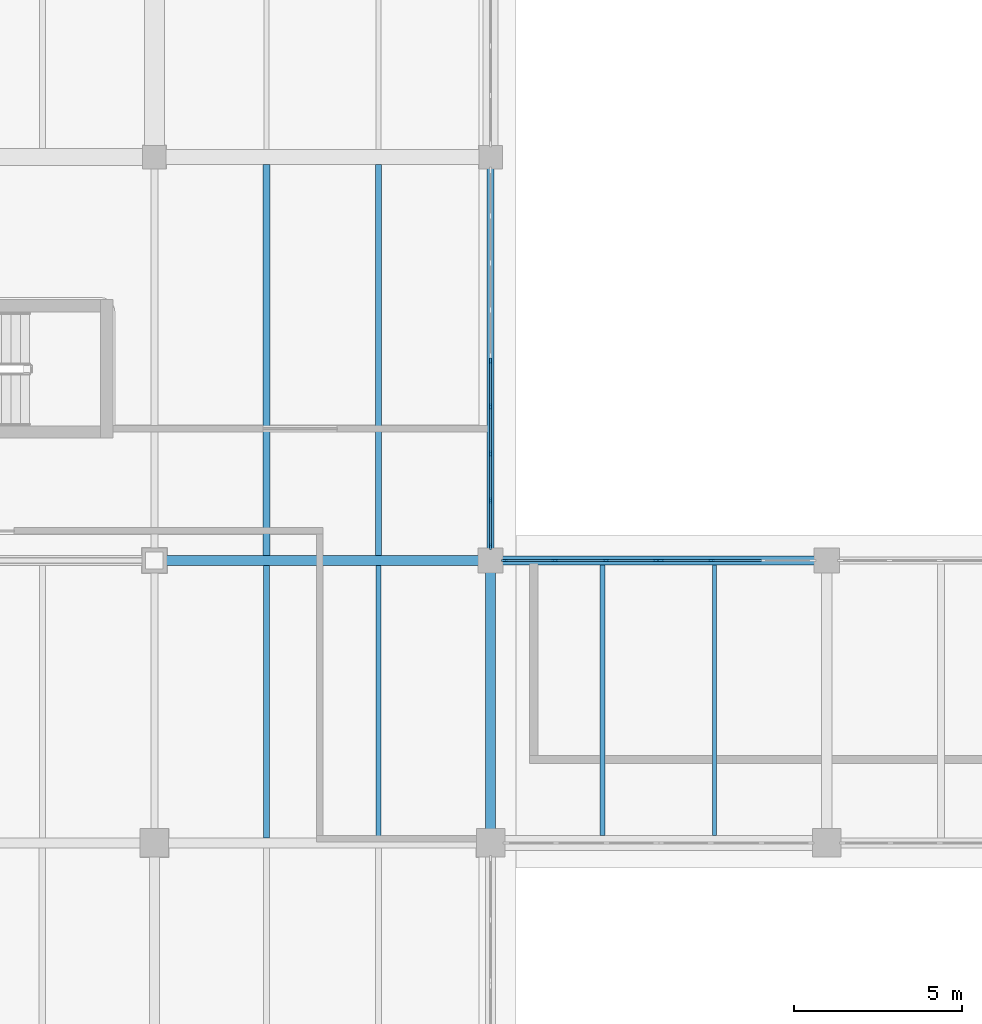
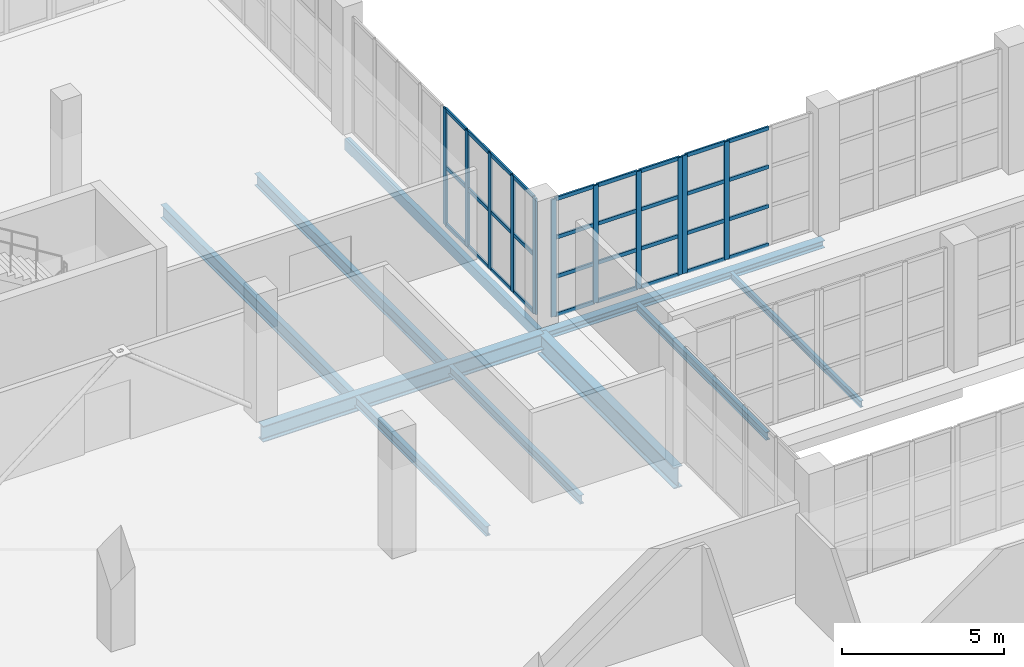
# One storey, part 51 of 121: 43 members, 10 beams, 3 elements without a shape of their own.
"""IFC4 building model written with IfcOpenShell, lengths in metres."""

from ifc_helpers import new_model, si_unit, direction, frame, origin, origin_2d, place, context, subcontext, project, spatial, rectangle, hollow_rectangle, i_section, extrude, material, layer, layer_set, material_profile, profile_set, type_object, element, aggregate, save


model = new_model("IFC4")

# Units and contexts
model_context = context("Model", 3, precision=1e-05, world=origin(), true_north=direction((0.0, 1.0)))
body_context = subcontext(model_context, "Body", "Model", "MODEL_VIEW")
ifc_project = project(units=[si_unit("LENGTHUNIT", "METRE"), si_unit("AREAUNIT", "SQUARE_METRE"), si_unit("VOLUMEUNIT", "CUBIC_METRE"), si_unit("PLANEANGLEUNIT", "RADIAN"), si_unit("MASSUNIT", "GRAM", prefix="KILO")], contexts=[model_context])

# Site, building, storey
site_placement = place(None, origin())
site = spatial("IfcSite", under=ifc_project, at=site_placement, CompositionType="ELEMENT")
building_placement = place(site_placement, origin())
building = spatial("IfcBuilding", under=site, at=building_placement, Name="Zereglee Splitstone Museum", CompositionType="ELEMENT")
storey_placement = place(building_placement, origin())
storey = spatial("IfcBuildingStorey", under=building, at=storey_placement, Name="L00", CompositionType="ELEMENT", Elevation=0.0)

# Curtain wall, members
ifc_material_1 = material(Name="Triple-glazed low-E argon glass and bronze-anodised aluminium", Category="aluminium")
ifc_layer_1 = layer(ifc_material_1, 0.179931640625)
ifc_layer_set_1 = layer_set([ifc_layer_1], Name="Triple-glazed low-E argon glass and bronze-anodised aluminium")
curtain_wall_type_1 = type_object("IfcCurtainWallType", Name="CW-0458-444", PredefinedType="USERDEFINED", material=ifc_layer_set_1)
curtain_wall_1_placement = place(storey_placement, origin())
curtain_wall_1 = element("IfcCurtainWall", 1, at=curtain_wall_1_placement, inside=storey, type_object=curtain_wall_type_1, Name="Glazed Curtain Wall CW-0458-444 (L00)", ObjectType="GLAZED CURTAIN WALL", PredefinedType="USERDEFINED")
ifc_material_2 = material(Name="Thermally broken bronze-anodised aluminium", Category="aluminium")
ifc_material_profile_1 = material_profile(ifc_material_2, rectangle(XDim=0.06494140625, YDim=0.179931640625, at=origin_2d()), Name="CW MULL 65x180")
ifc_profile_set_1 = profile_set([ifc_material_profile_1], Name="Thermally broken bronze-anodised aluminium")
member_type_1 = type_object("IfcMemberType", Name="CWM-01", PredefinedType="MULLION", material=ifc_profile_set_1)
member_1_placement = place(storey_placement, frame((211.765625, 38.39990234375, 0.0), z_axis=(0.0, 0.0, 1.0), x_axis=(0.0, -1.0, 0.0)))
member_1 = element("IfcMember", 2, at=member_1_placement, type_object=member_type_1, Name="CW-0458-444 mullion 3", PredefinedType="MULLION", context=body_context, shape_type="SweptSolid", body=[
    extrude(rectangle(XDim=0.06494140625, YDim=0.179931640625, at=origin_2d()), origin(), (0.0, 0.0, 1.0), 4.43994140625),
])
member_2_placement = place(storey_placement, frame((210.2724609375, 38.39990234375, 0.0), z_axis=(0.0, 0.0, 1.0), x_axis=(0.0, -1.0, 0.0)))
member_2 = element("IfcMember", 3, at=member_2_placement, type_object=member_type_1, Name="CW-0458-444 mullion 4", PredefinedType="MULLION", context=body_context, shape_type="SweptSolid", body=[
    extrude(rectangle(XDim=0.06494140625, YDim=0.179931640625, at=origin_2d()), origin(), (0.0, 0.0, 1.0), 4.43994140625),
])

ifc_layer_2 = layer(ifc_material_1, 0.179931640625)
ifc_layer_set_2 = layer_set([ifc_layer_2], Name="Triple-glazed low-E argon glass and bronze-anodised aluminium")
curtain_wall_type_2 = type_object("IfcCurtainWallType", Name="CW-0458-442", PredefinedType="USERDEFINED", material=ifc_layer_set_2)
curtain_wall_2_placement = place(storey_placement, origin())
curtain_wall_2 = element("IfcCurtainWall", 4, at=curtain_wall_2_placement, inside=storey, type_object=curtain_wall_type_2, Name="Glazed Curtain Wall CW-0458-442 (L00)", ObjectType="GLAZED CURTAIN WALL", PredefinedType="USERDEFINED")
member_3_placement = place(storey_placement, frame((210.12744140625, 38.39990234375, 0.0), z_axis=(0.0, 0.0, 1.0), x_axis=(0.0, -1.0, 0.0)))
member_3 = element("IfcMember", 5, at=member_3_placement, type_object=member_type_1, Name="CW-0458-442 mullion 1", PredefinedType="MULLION", context=body_context, shape_type="SweptSolid", body=[
    extrude(rectangle(XDim=0.06494140625, YDim=0.179931640625, at=origin_2d()), origin(), (0.0, 0.0, 1.0), 4.419921875),
])
member_4_placement = place(storey_placement, frame((208.63427734375, 38.39990234375, 0.0), z_axis=(0.0, 0.0, 1.0), x_axis=(0.0, -1.0, 0.0)))
member_4 = element("IfcMember", 6, at=member_4_placement, type_object=member_type_1, Name="CW-0458-442 mullion 2", PredefinedType="MULLION", context=body_context, shape_type="SweptSolid", body=[
    extrude(rectangle(XDim=0.06494140625, YDim=0.179931640625, at=origin_2d()), origin(), (0.0, 0.0, 1.0), 4.419921875),
])
member_5_placement = place(storey_placement, frame((207.108642578125, 38.39990234375, 0.0), z_axis=(0.0, 0.0, 1.0), x_axis=(0.0, -1.0, 0.0)))
member_5 = element("IfcMember", 7, at=member_5_placement, type_object=member_type_1, Name="CW-0458-442 mullion 3", PredefinedType="MULLION", context=body_context, shape_type="SweptSolid", body=[
    extrude(rectangle(XDim=0.06494140625, YDim=0.179931640625, at=origin_2d()), origin(), (0.0, 0.0, 1.0), 4.419921875),
])
member_6_placement = place(storey_placement, frame((205.615478515625, 38.39990234375, 0.0), z_axis=(0.0, 0.0, 1.0), x_axis=(0.0, -1.0, 0.0)))
member_6 = element("IfcMember", 8, at=member_6_placement, type_object=member_type_1, Name="CW-0458-442 mullion 4", PredefinedType="MULLION", context=body_context, shape_type="SweptSolid", body=[
    extrude(rectangle(XDim=0.06494140625, YDim=0.179931640625, at=origin_2d()), origin(), (0.0, 0.0, 1.0), 4.419921875),
])

ifc_layer_3 = layer(ifc_material_1, 0.179931640625)
ifc_layer_set_3 = layer_set([ifc_layer_3], Name="Triple-glazed low-E argon glass and bronze-anodised aluminium")
curtain_wall_type_3 = type_object("IfcCurtainWallType", Name="CW-0559-438", PredefinedType="USERDEFINED", material=ifc_layer_set_3)
curtain_wall_3_placement = place(storey_placement, origin())
curtain_wall_3 = element("IfcCurtainWall", 9, at=curtain_wall_3_placement, inside=storey, type_object=curtain_wall_type_3, Name="Glazed Curtain Wall CW-0559-438 (L00)", ObjectType="GLAZED CURTAIN WALL", PredefinedType="USERDEFINED")
member_7_placement = place(storey_placement, frame((205.199951171875, 38.8154296875, 0.0), z_axis=(0.0, 0.0, 1.0), x_axis=(-1.0, 0.0, 0.0)))
member_7 = element("IfcMember", 10, at=member_7_placement, type_object=member_type_1, Name="CW-0559-438 mullion 1", PredefinedType="MULLION", context=body_context, shape_type="SweptSolid", body=[
    extrude(rectangle(XDim=0.06494140625, YDim=0.179931640625, at=origin_2d()), origin(), (0.0, 0.0, 1.0), 4.3798828125),
])
member_8_placement = place(storey_placement, frame((205.199951171875, 40.180419921875, 0.0), z_axis=(0.0, 0.0, 1.0), x_axis=(-1.0, 0.0, 0.0)))
member_8 = element("IfcMember", 11, at=member_8_placement, type_object=member_type_1, Name="CW-0559-438 mullion 2", PredefinedType="MULLION", context=body_context, shape_type="SweptSolid", body=[
    extrude(rectangle(XDim=0.06494140625, YDim=0.179931640625, at=origin_2d()), origin(), (0.0, 0.0, 1.0), 4.3798828125),
])
member_9_placement = place(storey_placement, frame((205.199951171875, 41.57763671875, 0.0), z_axis=(0.0, 0.0, 1.0), x_axis=(-1.0, 0.0, 0.0)))
member_9 = element("IfcMember", 12, at=member_9_placement, type_object=member_type_1, Name="CW-0559-438 mullion 3", PredefinedType="MULLION", context=body_context, shape_type="SweptSolid", body=[
    extrude(rectangle(XDim=0.06494140625, YDim=0.179931640625, at=origin_2d()), origin(), (0.0, 0.0, 1.0), 4.3798828125),
])
member_10_placement = place(storey_placement, frame((205.199951171875, 42.97509765625, 0.0), z_axis=(0.0, 0.0, 1.0), x_axis=(-1.0, 0.0, 0.0)))
member_10 = element("IfcMember", 13, at=member_10_placement, type_object=member_type_1, Name="CW-0559-438 mullion 4", PredefinedType="MULLION", context=body_context, shape_type="SweptSolid", body=[
    extrude(rectangle(XDim=0.06494140625, YDim=0.179931640625, at=origin_2d()), origin(), (0.0, 0.0, 1.0), 4.3798828125),
])
member_11_placement = place(storey_placement, frame((205.199951171875, 44.340087890625, 0.0), z_axis=(0.0, 0.0, 1.0), x_axis=(-1.0, 0.0, 0.0)))
member_11 = element("IfcMember", 14, at=member_11_placement, type_object=member_type_1, Name="CW-0559-438 mullion 5", PredefinedType="MULLION", context=body_context, shape_type="SweptSolid", body=[
    extrude(rectangle(XDim=0.06494140625, YDim=0.179931640625, at=origin_2d()), origin(), (0.0, 0.0, 1.0), 4.3798828125),
])

# Member
ifc_material_profile_2 = material_profile(ifc_material_2, rectangle(XDim=0.06494140625, YDim=0.139892578125, at=origin_2d()), Name="CW TRAN 65x140")
ifc_profile_set_2 = profile_set([ifc_material_profile_2], Name="Thermally broken bronze-anodised aluminium")
member_type_2 = type_object("IfcMemberType", Name="CWT-01", PredefinedType="USERDEFINED", material=ifc_profile_set_2)
member_12_placement = place(storey_placement, frame((213.2587890625, 38.39990234375, 0.032470703125), z_axis=(-1.0, 0.0, 0.0), x_axis=(0.0, -1.0, 0.0)))
member_12 = element("IfcMember", 15, at=member_12_placement, type_object=member_type_2, Name="CW-0458-444 transom 2.1", ObjectType="TRANSOM", PredefinedType="USERDEFINED", context=body_context, shape_type="SweptSolid", body=[
    extrude(rectangle(XDim=0.06494140625, YDim=0.139892578125, at=origin_2d()), origin(), (0.0, 0.0, 1.0), 1.460693359375),
])

member_13_placement = place(storey_placement, frame((213.2587890625, 38.39990234375, 1.47998046875), z_axis=(-1.0, 0.0, 0.0), x_axis=(0.0, -1.0, 0.0)))
member_13 = element("IfcMember", 16, at=member_13_placement, type_object=member_type_2, Name="CW-0458-444 transom 2.2", ObjectType="TRANSOM", PredefinedType="USERDEFINED", context=body_context, shape_type="SweptSolid", body=[
    extrude(rectangle(XDim=0.06494140625, YDim=0.139892578125, at=origin_2d()), origin(), (0.0, 0.0, 1.0), 1.460693359375),
])

member_14_placement = place(storey_placement, frame((213.2587890625, 38.39990234375, 2.9599609375), z_axis=(-1.0, 0.0, 0.0), x_axis=(0.0, -1.0, 0.0)))
member_14 = element("IfcMember", 17, at=member_14_placement, type_object=member_type_2, Name="CW-0458-444 transom 2.3", ObjectType="TRANSOM", PredefinedType="USERDEFINED", context=body_context, shape_type="SweptSolid", body=[
    extrude(rectangle(XDim=0.06494140625, YDim=0.139892578125, at=origin_2d()), origin(), (0.0, 0.0, 1.0), 1.460693359375),
])

member_15_placement = place(storey_placement, frame((213.2587890625, 38.39990234375, 4.407470703125), z_axis=(-1.0, 0.0, 0.0), x_axis=(0.0, -1.0, 0.0)))
member_15 = element("IfcMember", 18, at=member_15_placement, type_object=member_type_2, Name="CW-0458-444 transom 2.4", ObjectType="TRANSOM", PredefinedType="USERDEFINED", context=body_context, shape_type="SweptSolid", body=[
    extrude(rectangle(XDim=0.06494140625, YDim=0.139892578125, at=origin_2d()), origin(), (0.0, 0.0, 1.0), 1.460693359375),
])

member_16_placement = place(storey_placement, frame((211.733154296875, 38.39990234375, 0.032470703125), z_axis=(-1.0, 0.0, 0.0), x_axis=(0.0, -1.0, 0.0)))
member_16 = element("IfcMember", 19, at=member_16_placement, type_object=member_type_2, Name="CW-0458-444 transom 3.1", ObjectType="TRANSOM", PredefinedType="USERDEFINED", context=body_context, shape_type="SweptSolid", body=[
    extrude(rectangle(XDim=0.06494140625, YDim=0.139892578125, at=origin_2d()), origin(), (0.0, 0.0, 1.0), 1.42822265625),
])

member_17_placement = place(storey_placement, frame((211.733154296875, 38.39990234375, 1.47998046875), z_axis=(-1.0, 0.0, 0.0), x_axis=(0.0, -1.0, 0.0)))
member_17 = element("IfcMember", 20, at=member_17_placement, type_object=member_type_2, Name="CW-0458-444 transom 3.2", ObjectType="TRANSOM", PredefinedType="USERDEFINED", context=body_context, shape_type="SweptSolid", body=[
    extrude(rectangle(XDim=0.06494140625, YDim=0.139892578125, at=origin_2d()), origin(), (0.0, 0.0, 1.0), 1.42822265625),
])

member_18_placement = place(storey_placement, frame((211.733154296875, 38.39990234375, 2.9599609375), z_axis=(-1.0, 0.0, 0.0), x_axis=(0.0, -1.0, 0.0)))
member_18 = element("IfcMember", 21, at=member_18_placement, type_object=member_type_2, Name="CW-0458-444 transom 3.3", ObjectType="TRANSOM", PredefinedType="USERDEFINED", context=body_context, shape_type="SweptSolid", body=[
    extrude(rectangle(XDim=0.06494140625, YDim=0.139892578125, at=origin_2d()), origin(), (0.0, 0.0, 1.0), 1.42822265625),
])

member_19_placement = place(storey_placement, frame((211.733154296875, 38.39990234375, 4.407470703125), z_axis=(-1.0, 0.0, 0.0), x_axis=(0.0, -1.0, 0.0)))
member_19 = element("IfcMember", 22, at=member_19_placement, type_object=member_type_2, Name="CW-0458-444 transom 3.4", ObjectType="TRANSOM", PredefinedType="USERDEFINED", context=body_context, shape_type="SweptSolid", body=[
    extrude(rectangle(XDim=0.06494140625, YDim=0.139892578125, at=origin_2d()), origin(), (0.0, 0.0, 1.0), 1.42822265625),
])

aggregate(curtain_wall_1, [member_1, member_2, member_12, member_13, member_14, member_15, member_16, member_17, member_18, member_19])

member_20_placement = place(storey_placement, frame((210.094970703125, 38.39990234375, 0.032470703125), z_axis=(-1.0, 0.0, 0.0), x_axis=(0.0, -1.0, 0.0)))
member_20 = element("IfcMember", 23, at=member_20_placement, type_object=member_type_2, Name="CW-0458-442 transom 1.1", ObjectType="TRANSOM", PredefinedType="USERDEFINED", context=body_context, shape_type="SweptSolid", body=[
    extrude(rectangle(XDim=0.06494140625, YDim=0.139892578125, at=origin_2d()), origin(), (0.0, 0.0, 1.0), 1.42822265625),
])

member_21_placement = place(storey_placement, frame((210.094970703125, 38.39990234375, 1.473388671875), z_axis=(-1.0, 0.0, 0.0), x_axis=(0.0, -1.0, 0.0)))
member_21 = element("IfcMember", 24, at=member_21_placement, type_object=member_type_2, Name="CW-0458-442 transom 1.2", ObjectType="TRANSOM", PredefinedType="USERDEFINED", context=body_context, shape_type="SweptSolid", body=[
    extrude(rectangle(XDim=0.06494140625, YDim=0.139892578125, at=origin_2d()), origin(), (0.0, 0.0, 1.0), 1.42822265625),
])

member_22_placement = place(storey_placement, frame((210.094970703125, 38.39990234375, 2.94677734375), z_axis=(-1.0, 0.0, 0.0), x_axis=(0.0, -1.0, 0.0)))
member_22 = element("IfcMember", 25, at=member_22_placement, type_object=member_type_2, Name="CW-0458-442 transom 1.3", ObjectType="TRANSOM", PredefinedType="USERDEFINED", context=body_context, shape_type="SweptSolid", body=[
    extrude(rectangle(XDim=0.06494140625, YDim=0.139892578125, at=origin_2d()), origin(), (0.0, 0.0, 1.0), 1.42822265625),
])

member_23_placement = place(storey_placement, frame((210.094970703125, 38.39990234375, 4.387451171875), z_axis=(-1.0, 0.0, 0.0), x_axis=(0.0, -1.0, 0.0)))
member_23 = element("IfcMember", 26, at=member_23_placement, type_object=member_type_2, Name="CW-0458-442 transom 1.4", ObjectType="TRANSOM", PredefinedType="USERDEFINED", context=body_context, shape_type="SweptSolid", body=[
    extrude(rectangle(XDim=0.06494140625, YDim=0.139892578125, at=origin_2d()), origin(), (0.0, 0.0, 1.0), 1.42822265625),
])

member_24_placement = place(storey_placement, frame((208.601806640625, 38.39990234375, 0.032470703125), z_axis=(-1.0, 0.0, 0.0), x_axis=(0.0, -1.0, 0.0)))
member_24 = element("IfcMember", 27, at=member_24_placement, type_object=member_type_2, Name="CW-0458-442 transom 2.1", ObjectType="TRANSOM", PredefinedType="USERDEFINED", context=body_context, shape_type="SweptSolid", body=[
    extrude(rectangle(XDim=0.06494140625, YDim=0.139892578125, at=origin_2d()), origin(), (0.0, 0.0, 1.0), 1.460693359375),
])

member_25_placement = place(storey_placement, frame((208.601806640625, 38.39990234375, 1.473388671875), z_axis=(-1.0, 0.0, 0.0), x_axis=(0.0, -1.0, 0.0)))
member_25 = element("IfcMember", 28, at=member_25_placement, type_object=member_type_2, Name="CW-0458-442 transom 2.2", ObjectType="TRANSOM", PredefinedType="USERDEFINED", context=body_context, shape_type="SweptSolid", body=[
    extrude(rectangle(XDim=0.06494140625, YDim=0.139892578125, at=origin_2d()), origin(), (0.0, 0.0, 1.0), 1.460693359375),
])

member_26_placement = place(storey_placement, frame((208.601806640625, 38.39990234375, 2.94677734375), z_axis=(-1.0, 0.0, 0.0), x_axis=(0.0, -1.0, 0.0)))
member_26 = element("IfcMember", 29, at=member_26_placement, type_object=member_type_2, Name="CW-0458-442 transom 2.3", ObjectType="TRANSOM", PredefinedType="USERDEFINED", context=body_context, shape_type="SweptSolid", body=[
    extrude(rectangle(XDim=0.06494140625, YDim=0.139892578125, at=origin_2d()), origin(), (0.0, 0.0, 1.0), 1.460693359375),
])

member_27_placement = place(storey_placement, frame((208.601806640625, 38.39990234375, 4.387451171875), z_axis=(-1.0, 0.0, 0.0), x_axis=(0.0, -1.0, 0.0)))
member_27 = element("IfcMember", 30, at=member_27_placement, type_object=member_type_2, Name="CW-0458-442 transom 2.4", ObjectType="TRANSOM", PredefinedType="USERDEFINED", context=body_context, shape_type="SweptSolid", body=[
    extrude(rectangle(XDim=0.06494140625, YDim=0.139892578125, at=origin_2d()), origin(), (0.0, 0.0, 1.0), 1.460693359375),
])

member_28_placement = place(storey_placement, frame((207.076171875, 38.39990234375, 0.032470703125), z_axis=(-1.0, 0.0, 0.0), x_axis=(0.0, -1.0, 0.0)))
member_28 = element("IfcMember", 31, at=member_28_placement, type_object=member_type_2, Name="CW-0458-442 transom 3.1", ObjectType="TRANSOM", PredefinedType="USERDEFINED", context=body_context, shape_type="SweptSolid", body=[
    extrude(rectangle(XDim=0.06494140625, YDim=0.139892578125, at=origin_2d()), origin(), (0.0, 0.0, 1.0), 1.42822265625),
])

member_29_placement = place(storey_placement, frame((207.076171875, 38.39990234375, 1.473388671875), z_axis=(-1.0, 0.0, 0.0), x_axis=(0.0, -1.0, 0.0)))
member_29 = element("IfcMember", 32, at=member_29_placement, type_object=member_type_2, Name="CW-0458-442 transom 3.2", ObjectType="TRANSOM", PredefinedType="USERDEFINED", context=body_context, shape_type="SweptSolid", body=[
    extrude(rectangle(XDim=0.06494140625, YDim=0.139892578125, at=origin_2d()), origin(), (0.0, 0.0, 1.0), 1.42822265625),
])

member_30_placement = place(storey_placement, frame((207.076171875, 38.39990234375, 2.94677734375), z_axis=(-1.0, 0.0, 0.0), x_axis=(0.0, -1.0, 0.0)))
member_30 = element("IfcMember", 33, at=member_30_placement, type_object=member_type_2, Name="CW-0458-442 transom 3.3", ObjectType="TRANSOM", PredefinedType="USERDEFINED", context=body_context, shape_type="SweptSolid", body=[
    extrude(rectangle(XDim=0.06494140625, YDim=0.139892578125, at=origin_2d()), origin(), (0.0, 0.0, 1.0), 1.42822265625),
])

member_31_placement = place(storey_placement, frame((207.076171875, 38.39990234375, 4.387451171875), z_axis=(-1.0, 0.0, 0.0), x_axis=(0.0, -1.0, 0.0)))
member_31 = element("IfcMember", 34, at=member_31_placement, type_object=member_type_2, Name="CW-0458-442 transom 3.4", ObjectType="TRANSOM", PredefinedType="USERDEFINED", context=body_context, shape_type="SweptSolid", body=[
    extrude(rectangle(XDim=0.06494140625, YDim=0.139892578125, at=origin_2d()), origin(), (0.0, 0.0, 1.0), 1.42822265625),
])

aggregate(curtain_wall_2, [member_3, member_4, member_5, member_6, member_20, member_21, member_22, member_23, member_24, member_25, member_26, member_27, member_28, member_29, member_30, member_31])

member_32_placement = place(storey_placement, frame((205.199951171875, 38.847900390625, 0.032470703125), z_axis=(0.0, 1.0, 0.0), x_axis=(-1.0, 0.0, 0.0)))
member_32 = element("IfcMember", 35, at=member_32_placement, type_object=member_type_2, Name="CW-0559-438 transom 1.1", ObjectType="TRANSOM", PredefinedType="USERDEFINED", context=body_context, shape_type="SweptSolid", body=[
    extrude(rectangle(XDim=0.06494140625, YDim=0.139892578125, at=origin_2d()), origin(), (0.0, 0.0, 1.0), 1.300048828125),
])

member_33_placement = place(storey_placement, frame((205.199951171875, 38.847900390625, 2.18994140625), z_axis=(0.0, 1.0, 0.0), x_axis=(-1.0, 0.0, 0.0)))
member_33 = element("IfcMember", 36, at=member_33_placement, type_object=member_type_2, Name="CW-0559-438 transom 1.2", ObjectType="TRANSOM", PredefinedType="USERDEFINED", context=body_context, shape_type="SweptSolid", body=[
    extrude(rectangle(XDim=0.06494140625, YDim=0.139892578125, at=origin_2d()), origin(), (0.0, 0.0, 1.0), 1.300048828125),
])

member_34_placement = place(storey_placement, frame((205.199951171875, 38.847900390625, 4.347412109375), z_axis=(0.0, 1.0, 0.0), x_axis=(-1.0, 0.0, 0.0)))
member_34 = element("IfcMember", 37, at=member_34_placement, type_object=member_type_2, Name="CW-0559-438 transom 1.3", ObjectType="TRANSOM", PredefinedType="USERDEFINED", context=body_context, shape_type="SweptSolid", body=[
    extrude(rectangle(XDim=0.06494140625, YDim=0.139892578125, at=origin_2d()), origin(), (0.0, 0.0, 1.0), 1.300048828125),
])

member_35_placement = place(storey_placement, frame((205.199951171875, 40.212890625, 0.032470703125), z_axis=(0.0, 1.0, 0.0), x_axis=(-1.0, 0.0, 0.0)))
member_35 = element("IfcMember", 38, at=member_35_placement, type_object=member_type_2, Name="CW-0559-438 transom 2.1", ObjectType="TRANSOM", PredefinedType="USERDEFINED", context=body_context, shape_type="SweptSolid", body=[
    extrude(rectangle(XDim=0.06494140625, YDim=0.139892578125, at=origin_2d()), origin(), (0.0, 0.0, 1.0), 1.332275390625),
])

member_36_placement = place(storey_placement, frame((205.199951171875, 40.212890625, 2.18994140625), z_axis=(0.0, 1.0, 0.0), x_axis=(-1.0, 0.0, 0.0)))
member_36 = element("IfcMember", 39, at=member_36_placement, type_object=member_type_2, Name="CW-0559-438 transom 2.2", ObjectType="TRANSOM", PredefinedType="USERDEFINED", context=body_context, shape_type="SweptSolid", body=[
    extrude(rectangle(XDim=0.06494140625, YDim=0.139892578125, at=origin_2d()), origin(), (0.0, 0.0, 1.0), 1.332275390625),
])

member_37_placement = place(storey_placement, frame((205.199951171875, 40.212890625, 4.347412109375), z_axis=(0.0, 1.0, 0.0), x_axis=(-1.0, 0.0, 0.0)))
member_37 = element("IfcMember", 40, at=member_37_placement, type_object=member_type_2, Name="CW-0559-438 transom 2.3", ObjectType="TRANSOM", PredefinedType="USERDEFINED", context=body_context, shape_type="SweptSolid", body=[
    extrude(rectangle(XDim=0.06494140625, YDim=0.139892578125, at=origin_2d()), origin(), (0.0, 0.0, 1.0), 1.332275390625),
])

member_38_placement = place(storey_placement, frame((205.199951171875, 41.6103515625, 0.032470703125), z_axis=(0.0, 1.0, 0.0), x_axis=(-1.0, 0.0, 0.0)))
member_38 = element("IfcMember", 41, at=member_38_placement, type_object=member_type_2, Name="CW-0559-438 transom 3.1", ObjectType="TRANSOM", PredefinedType="USERDEFINED", context=body_context, shape_type="SweptSolid", body=[
    extrude(rectangle(XDim=0.06494140625, YDim=0.139892578125, at=origin_2d()), origin(), (0.0, 0.0, 1.0), 1.332275390625),
])

member_39_placement = place(storey_placement, frame((205.199951171875, 41.6103515625, 2.18994140625), z_axis=(0.0, 1.0, 0.0), x_axis=(-1.0, 0.0, 0.0)))
member_39 = element("IfcMember", 42, at=member_39_placement, type_object=member_type_2, Name="CW-0559-438 transom 3.2", ObjectType="TRANSOM", PredefinedType="USERDEFINED", context=body_context, shape_type="SweptSolid", body=[
    extrude(rectangle(XDim=0.06494140625, YDim=0.139892578125, at=origin_2d()), origin(), (0.0, 0.0, 1.0), 1.332275390625),
])

member_40_placement = place(storey_placement, frame((205.199951171875, 41.6103515625, 4.347412109375), z_axis=(0.0, 1.0, 0.0), x_axis=(-1.0, 0.0, 0.0)))
member_40 = element("IfcMember", 43, at=member_40_placement, type_object=member_type_2, Name="CW-0559-438 transom 3.3", ObjectType="TRANSOM", PredefinedType="USERDEFINED", context=body_context, shape_type="SweptSolid", body=[
    extrude(rectangle(XDim=0.06494140625, YDim=0.139892578125, at=origin_2d()), origin(), (0.0, 0.0, 1.0), 1.332275390625),
])

member_41_placement = place(storey_placement, frame((205.199951171875, 43.007568359375, 0.032470703125), z_axis=(0.0, 1.0, 0.0), x_axis=(-1.0, 0.0, 0.0)))
member_41 = element("IfcMember", 44, at=member_41_placement, type_object=member_type_2, Name="CW-0559-438 transom 4.1", ObjectType="TRANSOM", PredefinedType="USERDEFINED", context=body_context, shape_type="SweptSolid", body=[
    extrude(rectangle(XDim=0.06494140625, YDim=0.139892578125, at=origin_2d()), origin(), (0.0, 0.0, 1.0), 1.300048828125),
])

member_42_placement = place(storey_placement, frame((205.199951171875, 43.007568359375, 2.18994140625), z_axis=(0.0, 1.0, 0.0), x_axis=(-1.0, 0.0, 0.0)))
member_42 = element("IfcMember", 45, at=member_42_placement, type_object=member_type_2, Name="CW-0559-438 transom 4.2", ObjectType="TRANSOM", PredefinedType="USERDEFINED", context=body_context, shape_type="SweptSolid", body=[
    extrude(rectangle(XDim=0.06494140625, YDim=0.139892578125, at=origin_2d()), origin(), (0.0, 0.0, 1.0), 1.300048828125),
])

member_43_placement = place(storey_placement, frame((205.199951171875, 43.007568359375, 4.347412109375), z_axis=(0.0, 1.0, 0.0), x_axis=(-1.0, 0.0, 0.0)))
member_43 = element("IfcMember", 46, at=member_43_placement, type_object=member_type_2, Name="CW-0559-438 transom 4.3", ObjectType="TRANSOM", PredefinedType="USERDEFINED", context=body_context, shape_type="SweptSolid", body=[
    extrude(rectangle(XDim=0.06494140625, YDim=0.139892578125, at=origin_2d()), origin(), (0.0, 0.0, 1.0), 1.300048828125),
])

aggregate(curtain_wall_3, [member_7, member_8, member_9, member_10, member_11, member_32, member_33, member_34, member_35, member_36, member_37, member_38, member_39, member_40, member_41, member_42, member_43])

# Beams
ifc_material_3 = material(Name="Steel S355J2", Category="steel")
ifc_material_profile_3 = material_profile(ifc_material_3, i_section(OverallWidth=0.300048828125, OverallDepth=0.60009765625, WebThickness=0.015380859375, FlangeThickness=0.030029296875, FilletRadius=0.027099609375, at=origin_2d()), Name="HE 600 B")
ifc_profile_set_3 = profile_set([ifc_material_profile_3], Name="Steel S355J2")
beam_type_1 = type_object("IfcBeamType", Name="BG-10", PredefinedType="BEAM", material=ifc_profile_set_3)
beam_1_placement = place(storey_placement, frame((195.199951171875, 38.39990234375, -0.719970703125), z_axis=(1.0, 0.0, 0.0), x_axis=(0.0, 1.0, 0.0)))
element("IfcBeam", 47, at=beam_1_placement, inside=storey, type_object=beam_type_1, Name="Primary Girder L00 E (195.2-205.2)", PredefinedType="BEAM", context=body_context, shape_type="SweptSolid", body=[
    extrude(i_section(OverallWidth=0.300048828125, OverallDepth=0.60009765625, WebThickness=0.015380859375, FlangeThickness=0.030029296875, FilletRadius=0.027099609375, at=origin_2d()), origin(), (0.0, 0.0, 1.0), 10.0),
])
ifc_material_profile_4 = material_profile(ifc_material_3, i_section(OverallWidth=0.300048828125, OverallDepth=0.800048828125, WebThickness=0.017578125, FlangeThickness=0.032958984375, FilletRadius=0.030029296875, at=origin_2d()), Name="HE 800 B")
ifc_profile_set_4 = profile_set([ifc_material_profile_4], Name="Steel S355J2")
beam_type_2 = type_object("IfcBeamType", Name="BG-07", PredefinedType="BEAM", material=ifc_profile_set_4)
beam_2_placement = place(storey_placement, frame((205.199951171875, 30.0, -0.820068359375), z_axis=(0.0, 1.0, 0.0), x_axis=(-1.0, 0.0, 0.0)))
element("IfcBeam", 48, at=beam_2_placement, inside=storey, type_object=beam_type_2, Name="Primary Girder L00 23 (30.0-38.4)", PredefinedType="BEAM", context=body_context, shape_type="SweptSolid", body=[
    extrude(i_section(OverallWidth=0.300048828125, OverallDepth=0.800048828125, WebThickness=0.017578125, FlangeThickness=0.032958984375, FilletRadius=0.030029296875, at=origin_2d()), origin(), (0.0, 0.0, 1.0), 8.39990234375),
])
ifc_material_profile_5 = material_profile(ifc_material_3, i_section(OverallWidth=0.1201171875, OverallDepth=0.239990234375, WebThickness=0.006103515625, FlangeThickness=0.009765625, FilletRadius=0.014892578125, at=origin_2d()), Name="IPE 240")
ifc_profile_set_5 = profile_set([ifc_material_profile_5], Name="Steel S355J2")
beam_type_3 = type_object("IfcBeamType", Name="BJ-07", PredefinedType="JOIST", material=ifc_profile_set_5)
beam_3_placement = place(storey_placement, frame((211.86669921875, 30.22509765625, -0.5400390625), z_axis=(0.0, 1.0, 0.0), x_axis=(-1.0, 0.0, 0.0)))
element("IfcBeam", 49, at=beam_3_placement, inside=storey, type_object=beam_type_3, Name="Secondary Floor Joist L00-0370", PredefinedType="JOIST", context=body_context, shape_type="SweptSolid", body=[
    extrude(i_section(OverallWidth=0.1201171875, OverallDepth=0.239990234375, WebThickness=0.006103515625, FlangeThickness=0.009765625, FilletRadius=0.014892578125, at=origin_2d()), origin(), (0.0, 0.0, 1.0), 8.034912109375),
])
ifc_material_profile_6 = material_profile(ifc_material_3, i_section(OverallWidth=0.14990234375, OverallDepth=0.300048828125, WebThickness=0.007080078125, FlangeThickness=0.0107421875, FilletRadius=0.014892578125, at=origin_2d()), Name="IPE 300")
ifc_profile_set_6 = profile_set([ifc_material_profile_6], Name="Steel S355J2")
beam_type_4 = type_object("IfcBeamType", Name="BJ-06", PredefinedType="JOIST", material=ifc_profile_set_6)
beam_4_placement = place(storey_placement, frame((208.533203125, 30.22509765625, -0.570068359375), z_axis=(0.0, 1.0, 0.0), x_axis=(-1.0, 0.0, 0.0)))
element("IfcBeam", 50, at=beam_4_placement, inside=storey, type_object=beam_type_4, Name="Secondary Floor Joist L00-0369", PredefinedType="JOIST", context=body_context, shape_type="SweptSolid", body=[
    extrude(i_section(OverallWidth=0.14990234375, OverallDepth=0.300048828125, WebThickness=0.007080078125, FlangeThickness=0.0107421875, FilletRadius=0.014892578125, at=origin_2d()), origin(), (0.0, 0.0, 1.0), 8.034912109375),
])
ifc_material_profile_7 = material_profile(ifc_material_3, i_section(OverallWidth=0.159912109375, OverallDepth=0.330078125, WebThickness=0.007568359375, FlangeThickness=0.011474609375, FilletRadius=0.01806640625, at=origin_2d()), Name="IPE 330")
ifc_profile_set_7 = profile_set([ifc_material_profile_7], Name="Steel S355J2")
beam_type_5 = type_object("IfcBeamType", Name="BJ-05", PredefinedType="JOIST", material=ifc_profile_set_7)
beam_5_placement = place(storey_placement, frame((201.86669921875, 30.14990234375, -0.5849609375), z_axis=(0.0, 1.0, 0.0), x_axis=(-1.0, 0.0, 0.0)))
element("IfcBeam", 51, at=beam_5_placement, inside=storey, type_object=beam_type_5, Name="Secondary Floor Joist L00-0368", PredefinedType="JOIST", context=body_context, shape_type="SweptSolid", body=[
    extrude(i_section(OverallWidth=0.159912109375, OverallDepth=0.330078125, WebThickness=0.007568359375, FlangeThickness=0.011474609375, FilletRadius=0.01806640625, at=origin_2d()), origin(), (0.0, 0.0, 1.0), 8.10009765625),
])
ifc_material_profile_8 = material_profile(ifc_material_3, i_section(OverallWidth=0.169921875, OverallDepth=0.360107421875, WebThickness=0.008056640625, FlangeThickness=0.0126953125, FilletRadius=0.01806640625, at=origin_2d()), Name="IPE 360")
ifc_profile_set_8 = profile_set([ifc_material_profile_8], Name="Steel S355J2")
beam_type_6 = type_object("IfcBeamType", Name="BJ-04", PredefinedType="JOIST", material=ifc_profile_set_8)
beam_6_placement = place(storey_placement, frame((198.533203125, 30.14990234375, -0.60009765625), z_axis=(0.0, 1.0, 0.0), x_axis=(-1.0, 0.0, 0.0)))
element("IfcBeam", 52, at=beam_6_placement, inside=storey, type_object=beam_type_6, Name="Secondary Floor Joist L00-0367", PredefinedType="JOIST", context=body_context, shape_type="SweptSolid", body=[
    extrude(i_section(OverallWidth=0.169921875, OverallDepth=0.360107421875, WebThickness=0.008056640625, FlangeThickness=0.0126953125, FilletRadius=0.01806640625, at=origin_2d()), origin(), (0.0, 0.0, 1.0), 8.10009765625),
])
ifc_material_profile_9 = material_profile(ifc_material_3, i_section(OverallWidth=0.18994140625, OverallDepth=0.449951171875, WebThickness=0.009521484375, FlangeThickness=0.0146484375, FilletRadius=0.02099609375, at=origin_2d()), Name="IPE 450")
ifc_profile_set_9 = profile_set([ifc_material_profile_9], Name="Steel S355J2")
beam_type_7 = type_object("IfcBeamType", Name="BJ-02", PredefinedType="JOIST", material=ifc_profile_set_9)
beam_7_placement = place(storey_placement, frame((201.86669921875, 38.550048828125, -0.64501953125), z_axis=(0.0, 1.0, 0.0), x_axis=(-1.0, 0.0, 0.0)))
element("IfcBeam", 53, at=beam_7_placement, inside=storey, type_object=beam_type_7, Name="Secondary Floor Joist L00-0407", PredefinedType="JOIST", context=body_context, shape_type="SweptSolid", body=[
    extrude(i_section(OverallWidth=0.18994140625, OverallDepth=0.449951171875, WebThickness=0.009521484375, FlangeThickness=0.0146484375, FilletRadius=0.02099609375, at=origin_2d()), origin(), (0.0, 0.0, 1.0), 11.625),
])
ifc_material_profile_10 = material_profile(ifc_material_3, i_section(OverallWidth=0.199951171875, OverallDepth=0.5, WebThickness=0.01025390625, FlangeThickness=0.01611328125, FilletRadius=0.02099609375, at=origin_2d()), Name="IPE 500")
ifc_profile_set_10 = profile_set([ifc_material_profile_10], Name="Steel S355J2")
beam_type_8 = type_object("IfcBeamType", Name="BJ-01", PredefinedType="JOIST", material=ifc_profile_set_10)
beam_8_placement = place(storey_placement, frame((198.533203125, 38.550048828125, -0.669921875), z_axis=(0.0, 1.0, 0.0), x_axis=(-1.0, 0.0, 0.0)))
element("IfcBeam", 54, at=beam_8_placement, inside=storey, type_object=beam_type_8, Name="Secondary Floor Joist L00-0406", PredefinedType="JOIST", context=body_context, shape_type="SweptSolid", body=[
    extrude(i_section(OverallWidth=0.199951171875, OverallDepth=0.5, WebThickness=0.01025390625, FlangeThickness=0.01611328125, FilletRadius=0.02099609375, at=origin_2d()), origin(), (0.0, 0.0, 1.0), 11.625),
])
ifc_material_profile_11 = material_profile(ifc_material_3, i_section(OverallWidth=0.280029296875, OverallDepth=0.280029296875, WebThickness=0.010498046875, FlangeThickness=0.01806640625, FilletRadius=0.02392578125, at=origin_2d()), Name="HE 280 B")
ifc_profile_set_11 = profile_set([ifc_material_profile_11], Name="Steel S355J2")
beam_type_9 = type_object("IfcBeamType", Name="SP-03", PredefinedType="SPANDREL", material=ifc_profile_set_11)
beam_9_placement = place(storey_placement, frame((205.199951171875, 38.39990234375, -0.56005859375), z_axis=(1.0, 0.0, 0.0), x_axis=(0.0, 1.0, 0.0)))
element("IfcBeam", 55, at=beam_9_placement, inside=storey, type_object=beam_type_9, Name="Primary Girder L00 E (205.2-215.2)", PredefinedType="SPANDREL", context=body_context, shape_type="SweptSolid", body=[
    extrude(i_section(OverallWidth=0.280029296875, OverallDepth=0.280029296875, WebThickness=0.010498046875, FlangeThickness=0.01806640625, FilletRadius=0.02392578125, at=origin_2d()), origin(), (0.0, 0.0, 1.0), 10.0),
])
ifc_material_4 = material(Name="Steel S355J2H", Category="steel")
ifc_material_profile_12 = material_profile(ifc_material_4, hollow_rectangle(XDim=0.199951171875, YDim=0.39990234375, WallThickness=0.01611328125, at=origin_2d()), Name="RHS 400x200x16")
ifc_profile_set_12 = profile_set([ifc_material_profile_12], Name="Steel S355J2H")
beam_type_10 = type_object("IfcBeamType", Name="SP-04", PredefinedType="SPANDREL", material=ifc_profile_set_12)
beam_10_placement = place(storey_placement, frame((205.199951171875, 38.39990234375, -0.6201171875), z_axis=(0.0, 1.0, 0.0), x_axis=(-1.0, 0.0, 0.0)))
element("IfcBeam", 56, at=beam_10_placement, inside=storey, type_object=beam_type_10, Name="Primary Girder L00 23 (38.4-50.4)", PredefinedType="SPANDREL", context=body_context, shape_type="SweptSolid", body=[
    extrude(hollow_rectangle(XDim=0.199951171875, YDim=0.39990234375, WallThickness=0.01611328125, at=origin_2d()), origin(), (0.0, 0.0, 1.0), 12.0),
])

save(model, "model.ifc")
